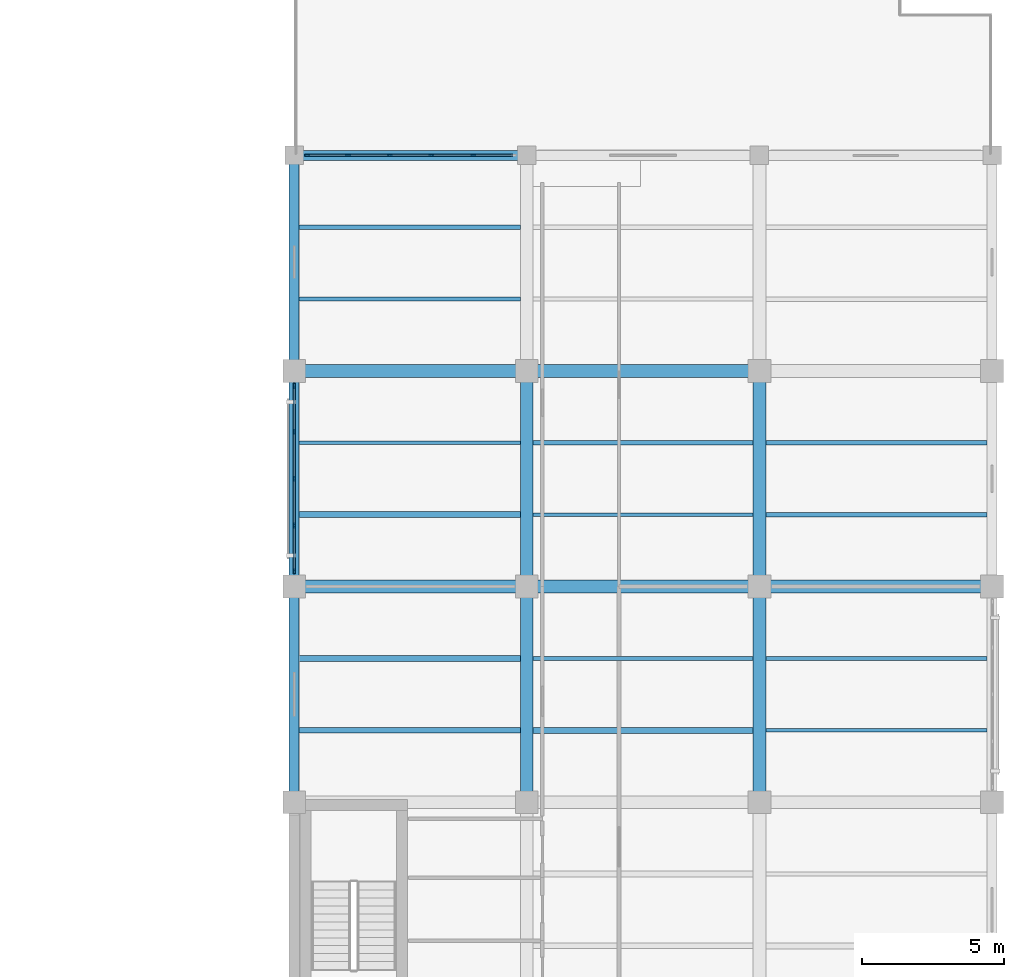
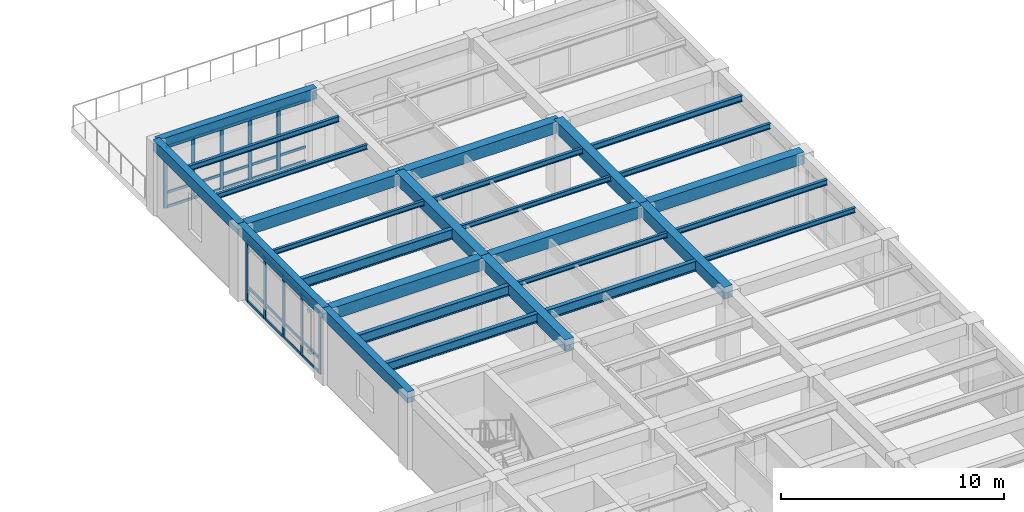
# One storey, part 4 of 14: 37 members, 27 beams, 2 elements without a shape of their own.
"""IFC4 building model written with IfcOpenShell, lengths in metres."""

from ifc_helpers import new_model, si_unit, direction, frame, origin, origin_2d, place, context, subcontext, project, spatial, rectangle, i_section, extrude, material, material_profile, profile_set, type_object, element, aggregate, save


model = new_model("IFC4")

# Units and contexts
model_context = context("Model", 3, precision=1e-05, world=origin(), true_north=direction((0.0, 1.0)))
body_context = subcontext(model_context, "Body", "Model", "MODEL_VIEW")
ifc_project = project(units=[si_unit("LENGTHUNIT", "METRE"), si_unit("AREAUNIT", "SQUARE_METRE"), si_unit("VOLUMEUNIT", "CUBIC_METRE"), si_unit("PLANEANGLEUNIT", "RADIAN"), si_unit("MASSUNIT", "GRAM", prefix="KILO")], contexts=[model_context])

# Site, building, storey
site_placement = place(None, origin())
site = spatial("IfcSite", under=ifc_project, at=site_placement, CompositionType="ELEMENT")
building_placement = place(site_placement, origin())
building = spatial("IfcBuilding", under=site, at=building_placement, Name="Qandaris Square Conservatory and Botanical Centre", CompositionType="ELEMENT")
storey_placement = place(building_placement, frame((0.0, 0.0, 36.60009765625)))
storey = spatial("IfcBuildingStorey", under=building, at=storey_placement, Name="L08", CompositionType="ELEMENT", Elevation=36.60009765625)

# Beams
ifc_material_1 = material(Name="Steel S355", Category="steel")
ifc_material_profile_1 = material_profile(ifc_material_1, i_section(OverallWidth=0.199951171875, OverallDepth=0.5, WebThickness=0.01025390625, FlangeThickness=0.01611328125, FilletRadius=0.02099609375, at=origin_2d()), Name="IPE 500")
ifc_profile_set_1 = profile_set([ifc_material_profile_1], Name="Steel S355")
beam_type_1 = type_object("IfcBeamType", Name="Composite Gallery Joist IPE 500", PredefinedType="JOIST", material=ifc_profile_set_1)
beam_1_placement = place(storey_placement, frame((139.375, 49.533203125, 3.68994140625), z_axis=(1.0, 0.0, 0.0), x_axis=(0.0, 1.0, 0.0)))
element("IfcBeam", 1, at=beam_1_placement, inside=storey, type_object=beam_type_1, Name="L08 Composite Joist 2290", PredefinedType="JOIST", context=body_context, shape_type="SweptSolid", body=[
    extrude(i_section(OverallWidth=0.199951171875, OverallDepth=0.5, WebThickness=0.01025390625, FlangeThickness=0.01611328125, FilletRadius=0.02099609375, at=origin_2d()), origin(), (0.0, 0.0, 1.0), 7.800048828125),
])
ifc_material_profile_2 = material_profile(ifc_material_1, i_section(OverallWidth=0.14990234375, OverallDepth=0.300048828125, WebThickness=0.007080078125, FlangeThickness=0.0107421875, FilletRadius=0.014892578125, at=origin_2d()), Name="IPE 300")
ifc_profile_set_2 = profile_set([ifc_material_profile_2], Name="Steel S355")
beam_type_2 = type_object("IfcBeamType", Name="Composite Lab Joist IPE 300", PredefinedType="JOIST", material=ifc_profile_set_2)
beam_2_placement = place(storey_placement, frame((139.375, 67.2666015625, 3.789794921875), z_axis=(1.0, 0.0, 0.0), x_axis=(0.0, 1.0, 0.0)))
element("IfcBeam", 2, at=beam_2_placement, inside=storey, type_object=beam_type_2, Name="L08 Composite Joist 2295", PredefinedType="JOIST", context=body_context, shape_type="SweptSolid", body=[
    extrude(i_section(OverallWidth=0.14990234375, OverallDepth=0.300048828125, WebThickness=0.007080078125, FlangeThickness=0.0107421875, FilletRadius=0.014892578125, at=origin_2d()), origin(), (0.0, 0.0, 1.0), 7.800048828125),
])
beam_3_placement = place(storey_placement, frame((147.625, 59.666748046875, 3.789794921875), z_axis=(1.0, 0.0, 0.0), x_axis=(0.0, 1.0, 0.0)))
element("IfcBeam", 3, at=beam_3_placement, inside=storey, type_object=beam_type_2, Name="L08 Composite Joist 2304", PredefinedType="JOIST", context=body_context, shape_type="SweptSolid", body=[
    extrude(i_section(OverallWidth=0.14990234375, OverallDepth=0.300048828125, WebThickness=0.007080078125, FlangeThickness=0.0107421875, FilletRadius=0.014892578125, at=origin_2d()), origin(), (0.0, 0.0, 1.0), 7.75),
])
for number, where, z_axis, x_axis, name in (
    (4, (155.824951171875, 52.066650390625, 3.789794921875), (1.0, 0.0, 0.0), (0.0, 1.0, 0.0), "L08 Composite Joist 2316"),
    (5, (155.824951171875, 57.13330078125, 3.789794921875), (1.0, 0.0, 0.0), (0.0, 1.0, 0.0), "L08 Composite Joist 2317"),
):
    element("IfcBeam", number, at=place(storey_placement, frame(where, z_axis=z_axis, x_axis=x_axis)), inside=storey, type_object=beam_type_2, Name=name, PredefinedType="JOIST", context=body_context, shape_type="SweptSolid", body=[
        extrude(i_section(OverallWidth=0.14990234375, OverallDepth=0.300048828125, WebThickness=0.007080078125, FlangeThickness=0.0107421875, FilletRadius=0.014892578125, at=origin_2d()), origin(), (0.0, 0.0, 1.0), 7.800048828125),
    ])
ifc_material_profile_3 = material_profile(ifc_material_1, i_section(OverallWidth=0.159912109375, OverallDepth=0.330078125, WebThickness=0.007568359375, FlangeThickness=0.011474609375, FilletRadius=0.01806640625, at=origin_2d()), Name="IPE 330")
ifc_profile_set_3 = profile_set([ifc_material_profile_3], Name="Steel S355")
beam_type_3 = type_object("IfcBeamType", Name="Composite Lab Joist IPE 330", PredefinedType="JOIST", material=ifc_profile_set_3)
beam_4_placement = place(storey_placement, frame((155.824951171875, 59.666748046875, 3.77490234375), z_axis=(1.0, 0.0, 0.0), x_axis=(0.0, 1.0, 0.0)))
element("IfcBeam", 6, at=beam_4_placement, inside=storey, type_object=beam_type_3, Name="L08 Composite Joist 2318", PredefinedType="JOIST", context=body_context, shape_type="SweptSolid", body=[
    extrude(i_section(OverallWidth=0.159912109375, OverallDepth=0.330078125, WebThickness=0.007568359375, FlangeThickness=0.011474609375, FilletRadius=0.01806640625, at=origin_2d()), origin(), (0.0, 0.0, 1.0), 7.800048828125),
])

# Curtain wall, members
ifc_material_2 = material(Name="Anodised Aluminium", Category="aluminium")
curtain_wall_type_1 = type_object("IfcCurtainWallType", Name="Unitised Curtain Wall CW-3-735x335", PredefinedType="USERDEFINED", material=ifc_material_2)
curtain_wall_1_placement = place(storey_placement, origin())
curtain_wall_1 = element("IfcCurtainWall", 7, at=curtain_wall_1_placement, inside=storey, type_object=curtain_wall_type_1, Name="Curtain Wall CW-TWR-L08-3-3", ObjectType="GLAZED CURTAIN WALL", PredefinedType="USERDEFINED")
ifc_material_profile_4 = material_profile(ifc_material_2, rectangle(XDim=0.06494140625, YDim=0.179931640625, at=origin_2d()), Name="ALU-MUL 65x180")
ifc_profile_set_4 = profile_set([ifc_material_profile_4], Name="Anodised Aluminium")
member_type_1 = type_object("IfcMemberType", Name="Curtain Wall Mullion 65x180", PredefinedType="MULLION", material=ifc_profile_set_4)
member_1_placement = place(storey_placement, frame((145.5048828125, 69.800048828125, 0.0), z_axis=(0.0, 0.0, 1.0), x_axis=(0.0, -1.0, 0.0)))
member_1 = element("IfcMember", 8, at=member_1_placement, type_object=member_type_1, Name="CW-3-735x335 mullion 2", PredefinedType="MULLION", context=body_context, shape_type="SweptSolid", body=[
    extrude(rectangle(XDim=0.06494140625, YDim=0.179931640625, at=origin_2d()), origin(), (0.0, 0.0, 1.0), 3.349853515625),
])
member_2_placement = place(storey_placement, frame((144.034912109375, 69.800048828125, 0.0), z_axis=(0.0, 0.0, 1.0), x_axis=(0.0, -1.0, 0.0)))
member_2 = element("IfcMember", 9, at=member_2_placement, type_object=member_type_1, Name="CW-3-735x335 mullion 3", PredefinedType="MULLION", context=body_context, shape_type="SweptSolid", body=[
    extrude(rectangle(XDim=0.06494140625, YDim=0.179931640625, at=origin_2d()), origin(), (0.0, 0.0, 1.0), 3.349853515625),
])
member_3_placement = place(storey_placement, frame((142.56494140625, 69.800048828125, 0.0), z_axis=(0.0, 0.0, 1.0), x_axis=(0.0, -1.0, 0.0)))
member_3 = element("IfcMember", 10, at=member_3_placement, type_object=member_type_1, Name="CW-3-735x335 mullion 4", PredefinedType="MULLION", context=body_context, shape_type="SweptSolid", body=[
    extrude(rectangle(XDim=0.06494140625, YDim=0.179931640625, at=origin_2d()), origin(), (0.0, 0.0, 1.0), 3.349853515625),
])
member_4_placement = place(storey_placement, frame((141.094970703125, 69.800048828125, 0.0), z_axis=(0.0, 0.0, 1.0), x_axis=(0.0, -1.0, 0.0)))
member_4 = element("IfcMember", 11, at=member_4_placement, type_object=member_type_1, Name="CW-3-735x335 mullion 5", PredefinedType="MULLION", context=body_context, shape_type="SweptSolid", body=[
    extrude(rectangle(XDim=0.06494140625, YDim=0.179931640625, at=origin_2d()), origin(), (0.0, 0.0, 1.0), 3.349853515625),
])
member_5_placement = place(storey_placement, frame((139.657470703125, 69.800048828125, 0.0), z_axis=(0.0, 0.0, 1.0), x_axis=(0.0, -1.0, 0.0)))
member_5 = element("IfcMember", 12, at=member_5_placement, type_object=member_type_1, Name="CW-3-735x335 mullion 6", PredefinedType="MULLION", context=body_context, shape_type="SweptSolid", body=[
    extrude(rectangle(XDim=0.06494140625, YDim=0.179931640625, at=origin_2d()), origin(), (0.0, 0.0, 1.0), 3.349853515625),
])

curtain_wall_type_2 = type_object("IfcCurtainWallType", Name="Unitised Curtain Wall CW-4-660x335", PredefinedType="USERDEFINED", material=ifc_material_2)
curtain_wall_2_placement = place(storey_placement, origin())
curtain_wall_2 = element("IfcCurtainWall", 13, at=curtain_wall_2_placement, inside=storey, type_object=curtain_wall_type_2, Name="Curtain Wall CW-TWR-L08-4-2", ObjectType="GLAZED CURTAIN WALL", PredefinedType="USERDEFINED")
member_6_placement = place(storey_placement, frame((139.199951171875, 61.66748046875, 0.0), z_axis=(0.0, 0.0, 1.0), x_axis=(1.0, 0.0, 0.0)))
member_6 = element("IfcMember", 14, at=member_6_placement, type_object=member_type_1, Name="CW-4-660x335 mullion 1", PredefinedType="MULLION", context=body_context, shape_type="SweptSolid", body=[
    extrude(rectangle(XDim=0.06494140625, YDim=0.179931640625, at=origin_2d()), origin(), (0.0, 0.0, 1.0), 3.349853515625),
])
member_7_placement = place(storey_placement, frame((139.199951171875, 60.050048828125, 0.0), z_axis=(0.0, 0.0, 1.0), x_axis=(1.0, 0.0, 0.0)))
member_7 = element("IfcMember", 15, at=member_7_placement, type_object=member_type_1, Name="CW-4-660x335 mullion 2", PredefinedType="MULLION", context=body_context, shape_type="SweptSolid", body=[
    extrude(rectangle(XDim=0.06494140625, YDim=0.179931640625, at=origin_2d()), origin(), (0.0, 0.0, 1.0), 3.349853515625),
])
member_8_placement = place(storey_placement, frame((139.199951171875, 58.39990234375, 0.0), z_axis=(0.0, 0.0, 1.0), x_axis=(1.0, 0.0, 0.0)))
member_8 = element("IfcMember", 16, at=member_8_placement, type_object=member_type_1, Name="CW-4-660x335 mullion 3", PredefinedType="MULLION", context=body_context, shape_type="SweptSolid", body=[
    extrude(rectangle(XDim=0.06494140625, YDim=0.179931640625, at=origin_2d()), origin(), (0.0, 0.0, 1.0), 3.349853515625),
])
member_9_placement = place(storey_placement, frame((139.199951171875, 56.75, 0.0), z_axis=(0.0, 0.0, 1.0), x_axis=(1.0, 0.0, 0.0)))
member_9 = element("IfcMember", 17, at=member_9_placement, type_object=member_type_1, Name="CW-4-660x335 mullion 4", PredefinedType="MULLION", context=body_context, shape_type="SweptSolid", body=[
    extrude(rectangle(XDim=0.06494140625, YDim=0.179931640625, at=origin_2d()), origin(), (0.0, 0.0, 1.0), 3.349853515625),
])
member_10_placement = place(storey_placement, frame((139.199951171875, 55.132568359375, 0.0), z_axis=(0.0, 0.0, 1.0), x_axis=(1.0, 0.0, 0.0)))
member_10 = element("IfcMember", 18, at=member_10_placement, type_object=member_type_1, Name="CW-4-660x335 mullion 5", PredefinedType="MULLION", context=body_context, shape_type="SweptSolid", body=[
    extrude(rectangle(XDim=0.06494140625, YDim=0.179931640625, at=origin_2d()), origin(), (0.0, 0.0, 1.0), 3.349853515625),
])

# Member
ifc_material_profile_5 = material_profile(ifc_material_2, rectangle(XDim=0.06494140625, YDim=0.139892578125, at=origin_2d()), Name="ALU-TRN 65x140")
ifc_profile_set_5 = profile_set([ifc_material_profile_5], Name="Anodised Aluminium")
member_type_2 = type_object("IfcMemberType", Name="Curtain Wall Transom 65x140", PredefinedType="USERDEFINED", material=ifc_profile_set_5)
member_11_placement = place(storey_placement, frame((146.909912109375, 69.800048828125, 0.032470703125), z_axis=(-1.0, 0.0, 0.0), x_axis=(0.0, -1.0, 0.0)))
member_11 = element("IfcMember", 19, at=member_11_placement, type_object=member_type_2, Name="CW-3-735x335 transom 1.1", ObjectType="TRANSOM", PredefinedType="USERDEFINED", context=body_context, shape_type="SweptSolid", body=[
    extrude(rectangle(XDim=0.06494140625, YDim=0.139892578125, at=origin_2d()), origin(), (0.0, 0.0, 1.0), 1.372314453125),
])

member_12_placement = place(storey_placement, frame((146.909912109375, 69.800048828125, 0.803955078125), z_axis=(-1.0, 0.0, 0.0), x_axis=(0.0, -1.0, 0.0)))
member_12 = element("IfcMember", 20, at=member_12_placement, type_object=member_type_2, Name="CW-3-735x335 transom 1.2", ObjectType="TRANSOM", PredefinedType="USERDEFINED", context=body_context, shape_type="SweptSolid", body=[
    extrude(rectangle(XDim=0.06494140625, YDim=0.139892578125, at=origin_2d()), origin(), (0.0, 0.0, 1.0), 1.372314453125),
])

member_13_placement = place(storey_placement, frame((146.909912109375, 69.800048828125, 3.3173828125), z_axis=(-1.0, 0.0, 0.0), x_axis=(0.0, -1.0, 0.0)))
member_13 = element("IfcMember", 21, at=member_13_placement, type_object=member_type_2, Name="CW-3-735x335 transom 1.3", ObjectType="TRANSOM", PredefinedType="USERDEFINED", context=body_context, shape_type="SweptSolid", body=[
    extrude(rectangle(XDim=0.06494140625, YDim=0.139892578125, at=origin_2d()), origin(), (0.0, 0.0, 1.0), 1.372314453125),
])

member_14_placement = place(storey_placement, frame((145.472412109375, 69.800048828125, 0.032470703125), z_axis=(-1.0, 0.0, 0.0), x_axis=(0.0, -1.0, 0.0)))
member_14 = element("IfcMember", 22, at=member_14_placement, type_object=member_type_2, Name="CW-3-735x335 transom 2.1", ObjectType="TRANSOM", PredefinedType="USERDEFINED", context=body_context, shape_type="SweptSolid", body=[
    extrude(rectangle(XDim=0.06494140625, YDim=0.139892578125, at=origin_2d()), origin(), (0.0, 0.0, 1.0), 1.405029296875),
])

member_15_placement = place(storey_placement, frame((145.472412109375, 69.800048828125, 0.803955078125), z_axis=(-1.0, 0.0, 0.0), x_axis=(0.0, -1.0, 0.0)))
member_15 = element("IfcMember", 23, at=member_15_placement, type_object=member_type_2, Name="CW-3-735x335 transom 2.2", ObjectType="TRANSOM", PredefinedType="USERDEFINED", context=body_context, shape_type="SweptSolid", body=[
    extrude(rectangle(XDim=0.06494140625, YDim=0.139892578125, at=origin_2d()), origin(), (0.0, 0.0, 1.0), 1.405029296875),
])

member_16_placement = place(storey_placement, frame((145.472412109375, 69.800048828125, 3.3173828125), z_axis=(-1.0, 0.0, 0.0), x_axis=(0.0, -1.0, 0.0)))
member_16 = element("IfcMember", 24, at=member_16_placement, type_object=member_type_2, Name="CW-3-735x335 transom 2.3", ObjectType="TRANSOM", PredefinedType="USERDEFINED", context=body_context, shape_type="SweptSolid", body=[
    extrude(rectangle(XDim=0.06494140625, YDim=0.139892578125, at=origin_2d()), origin(), (0.0, 0.0, 1.0), 1.405029296875),
])

member_17_placement = place(storey_placement, frame((144.00244140625, 69.800048828125, 0.032470703125), z_axis=(-1.0, 0.0, 0.0), x_axis=(0.0, -1.0, 0.0)))
member_17 = element("IfcMember", 25, at=member_17_placement, type_object=member_type_2, Name="CW-3-735x335 transom 3.1", ObjectType="TRANSOM", PredefinedType="USERDEFINED", context=body_context, shape_type="SweptSolid", body=[
    extrude(rectangle(XDim=0.06494140625, YDim=0.139892578125, at=origin_2d()), origin(), (0.0, 0.0, 1.0), 1.405029296875),
])

member_18_placement = place(storey_placement, frame((144.00244140625, 69.800048828125, 0.803955078125), z_axis=(-1.0, 0.0, 0.0), x_axis=(0.0, -1.0, 0.0)))
member_18 = element("IfcMember", 26, at=member_18_placement, type_object=member_type_2, Name="CW-3-735x335 transom 3.2", ObjectType="TRANSOM", PredefinedType="USERDEFINED", context=body_context, shape_type="SweptSolid", body=[
    extrude(rectangle(XDim=0.06494140625, YDim=0.139892578125, at=origin_2d()), origin(), (0.0, 0.0, 1.0), 1.405029296875),
])

member_19_placement = place(storey_placement, frame((144.00244140625, 69.800048828125, 3.3173828125), z_axis=(-1.0, 0.0, 0.0), x_axis=(0.0, -1.0, 0.0)))
member_19 = element("IfcMember", 27, at=member_19_placement, type_object=member_type_2, Name="CW-3-735x335 transom 3.3", ObjectType="TRANSOM", PredefinedType="USERDEFINED", context=body_context, shape_type="SweptSolid", body=[
    extrude(rectangle(XDim=0.06494140625, YDim=0.139892578125, at=origin_2d()), origin(), (0.0, 0.0, 1.0), 1.405029296875),
])

member_20_placement = place(storey_placement, frame((142.532470703125, 69.800048828125, 0.032470703125), z_axis=(-1.0, 0.0, 0.0), x_axis=(0.0, -1.0, 0.0)))
member_20 = element("IfcMember", 28, at=member_20_placement, type_object=member_type_2, Name="CW-3-735x335 transom 4.1", ObjectType="TRANSOM", PredefinedType="USERDEFINED", context=body_context, shape_type="SweptSolid", body=[
    extrude(rectangle(XDim=0.06494140625, YDim=0.139892578125, at=origin_2d()), origin(), (0.0, 0.0, 1.0), 1.405029296875),
])

member_21_placement = place(storey_placement, frame((142.532470703125, 69.800048828125, 0.803955078125), z_axis=(-1.0, 0.0, 0.0), x_axis=(0.0, -1.0, 0.0)))
member_21 = element("IfcMember", 29, at=member_21_placement, type_object=member_type_2, Name="CW-3-735x335 transom 4.2", ObjectType="TRANSOM", PredefinedType="USERDEFINED", context=body_context, shape_type="SweptSolid", body=[
    extrude(rectangle(XDim=0.06494140625, YDim=0.139892578125, at=origin_2d()), origin(), (0.0, 0.0, 1.0), 1.405029296875),
])

member_22_placement = place(storey_placement, frame((142.532470703125, 69.800048828125, 3.3173828125), z_axis=(-1.0, 0.0, 0.0), x_axis=(0.0, -1.0, 0.0)))
member_22 = element("IfcMember", 30, at=member_22_placement, type_object=member_type_2, Name="CW-3-735x335 transom 4.3", ObjectType="TRANSOM", PredefinedType="USERDEFINED", context=body_context, shape_type="SweptSolid", body=[
    extrude(rectangle(XDim=0.06494140625, YDim=0.139892578125, at=origin_2d()), origin(), (0.0, 0.0, 1.0), 1.405029296875),
])

member_23_placement = place(storey_placement, frame((141.0625, 69.800048828125, 0.032470703125), z_axis=(-1.0, 0.0, 0.0), x_axis=(0.0, -1.0, 0.0)))
member_23 = element("IfcMember", 31, at=member_23_placement, type_object=member_type_2, Name="CW-3-735x335 transom 5.1", ObjectType="TRANSOM", PredefinedType="USERDEFINED", context=body_context, shape_type="SweptSolid", body=[
    extrude(rectangle(XDim=0.06494140625, YDim=0.139892578125, at=origin_2d()), origin(), (0.0, 0.0, 1.0), 1.37255859375),
])

member_24_placement = place(storey_placement, frame((141.0625, 69.800048828125, 0.803955078125), z_axis=(-1.0, 0.0, 0.0), x_axis=(0.0, -1.0, 0.0)))
member_24 = element("IfcMember", 32, at=member_24_placement, type_object=member_type_2, Name="CW-3-735x335 transom 5.2", ObjectType="TRANSOM", PredefinedType="USERDEFINED", context=body_context, shape_type="SweptSolid", body=[
    extrude(rectangle(XDim=0.06494140625, YDim=0.139892578125, at=origin_2d()), origin(), (0.0, 0.0, 1.0), 1.37255859375),
])

member_25_placement = place(storey_placement, frame((141.0625, 69.800048828125, 3.3173828125), z_axis=(-1.0, 0.0, 0.0), x_axis=(0.0, -1.0, 0.0)))
member_25 = element("IfcMember", 33, at=member_25_placement, type_object=member_type_2, Name="CW-3-735x335 transom 5.3", ObjectType="TRANSOM", PredefinedType="USERDEFINED", context=body_context, shape_type="SweptSolid", body=[
    extrude(rectangle(XDim=0.06494140625, YDim=0.139892578125, at=origin_2d()), origin(), (0.0, 0.0, 1.0), 1.37255859375),
])

aggregate(curtain_wall_1, [member_1, member_2, member_3, member_4, member_5, member_11, member_12, member_13, member_14, member_15, member_16, member_17, member_18, member_19, member_20, member_21, member_22, member_23, member_24, member_25])

member_26_placement = place(storey_placement, frame((139.199951171875, 61.635009765625, 0.032470703125), z_axis=(0.0, -1.0, 0.0), x_axis=(1.0, 0.0, 0.0)))
member_26 = element("IfcMember", 34, at=member_26_placement, type_object=member_type_2, Name="CW-4-660x335 transom 1.1", ObjectType="TRANSOM", PredefinedType="USERDEFINED", context=body_context, shape_type="SweptSolid", body=[
    extrude(rectangle(XDim=0.06494140625, YDim=0.139892578125, at=origin_2d()), origin(), (0.0, 0.0, 1.0), 1.552490234375),
])

member_27_placement = place(storey_placement, frame((139.199951171875, 61.635009765625, 0.803955078125), z_axis=(0.0, -1.0, 0.0), x_axis=(1.0, 0.0, 0.0)))
member_27 = element("IfcMember", 35, at=member_27_placement, type_object=member_type_2, Name="CW-4-660x335 transom 1.2", ObjectType="TRANSOM", PredefinedType="USERDEFINED", context=body_context, shape_type="SweptSolid", body=[
    extrude(rectangle(XDim=0.06494140625, YDim=0.139892578125, at=origin_2d()), origin(), (0.0, 0.0, 1.0), 1.552490234375),
])

member_28_placement = place(storey_placement, frame((139.199951171875, 61.635009765625, 3.3173828125), z_axis=(0.0, -1.0, 0.0), x_axis=(1.0, 0.0, 0.0)))
member_28 = element("IfcMember", 36, at=member_28_placement, type_object=member_type_2, Name="CW-4-660x335 transom 1.3", ObjectType="TRANSOM", PredefinedType="USERDEFINED", context=body_context, shape_type="SweptSolid", body=[
    extrude(rectangle(XDim=0.06494140625, YDim=0.139892578125, at=origin_2d()), origin(), (0.0, 0.0, 1.0), 1.552490234375),
])

member_29_placement = place(storey_placement, frame((139.199951171875, 60.017578125, 0.032470703125), z_axis=(0.0, -1.0, 0.0), x_axis=(1.0, 0.0, 0.0)))
member_29 = element("IfcMember", 37, at=member_29_placement, type_object=member_type_2, Name="CW-4-660x335 transom 2.1", ObjectType="TRANSOM", PredefinedType="USERDEFINED", context=body_context, shape_type="SweptSolid", body=[
    extrude(rectangle(XDim=0.06494140625, YDim=0.139892578125, at=origin_2d()), origin(), (0.0, 0.0, 1.0), 1.5849609375),
])

member_30_placement = place(storey_placement, frame((139.199951171875, 60.017578125, 0.803955078125), z_axis=(0.0, -1.0, 0.0), x_axis=(1.0, 0.0, 0.0)))
member_30 = element("IfcMember", 38, at=member_30_placement, type_object=member_type_2, Name="CW-4-660x335 transom 2.2", ObjectType="TRANSOM", PredefinedType="USERDEFINED", context=body_context, shape_type="SweptSolid", body=[
    extrude(rectangle(XDim=0.06494140625, YDim=0.139892578125, at=origin_2d()), origin(), (0.0, 0.0, 1.0), 1.5849609375),
])

member_31_placement = place(storey_placement, frame((139.199951171875, 60.017578125, 3.3173828125), z_axis=(0.0, -1.0, 0.0), x_axis=(1.0, 0.0, 0.0)))
member_31 = element("IfcMember", 39, at=member_31_placement, type_object=member_type_2, Name="CW-4-660x335 transom 2.3", ObjectType="TRANSOM", PredefinedType="USERDEFINED", context=body_context, shape_type="SweptSolid", body=[
    extrude(rectangle(XDim=0.06494140625, YDim=0.139892578125, at=origin_2d()), origin(), (0.0, 0.0, 1.0), 1.5849609375),
])

member_32_placement = place(storey_placement, frame((139.199951171875, 58.367431640625, 0.032470703125), z_axis=(0.0, -1.0, 0.0), x_axis=(1.0, 0.0, 0.0)))
member_32 = element("IfcMember", 40, at=member_32_placement, type_object=member_type_2, Name="CW-4-660x335 transom 3.1", ObjectType="TRANSOM", PredefinedType="USERDEFINED", context=body_context, shape_type="SweptSolid", body=[
    extrude(rectangle(XDim=0.06494140625, YDim=0.139892578125, at=origin_2d()), origin(), (0.0, 0.0, 1.0), 1.5849609375),
])

member_33_placement = place(storey_placement, frame((139.199951171875, 58.367431640625, 0.803955078125), z_axis=(0.0, -1.0, 0.0), x_axis=(1.0, 0.0, 0.0)))
member_33 = element("IfcMember", 41, at=member_33_placement, type_object=member_type_2, Name="CW-4-660x335 transom 3.2", ObjectType="TRANSOM", PredefinedType="USERDEFINED", context=body_context, shape_type="SweptSolid", body=[
    extrude(rectangle(XDim=0.06494140625, YDim=0.139892578125, at=origin_2d()), origin(), (0.0, 0.0, 1.0), 1.5849609375),
])

member_34_placement = place(storey_placement, frame((139.199951171875, 58.367431640625, 3.3173828125), z_axis=(0.0, -1.0, 0.0), x_axis=(1.0, 0.0, 0.0)))
member_34 = element("IfcMember", 42, at=member_34_placement, type_object=member_type_2, Name="CW-4-660x335 transom 3.3", ObjectType="TRANSOM", PredefinedType="USERDEFINED", context=body_context, shape_type="SweptSolid", body=[
    extrude(rectangle(XDim=0.06494140625, YDim=0.139892578125, at=origin_2d()), origin(), (0.0, 0.0, 1.0), 1.5849609375),
])

member_35_placement = place(storey_placement, frame((139.199951171875, 56.717529296875, 0.032470703125), z_axis=(0.0, -1.0, 0.0), x_axis=(1.0, 0.0, 0.0)))
member_35 = element("IfcMember", 43, at=member_35_placement, type_object=member_type_2, Name="CW-4-660x335 transom 4.1", ObjectType="TRANSOM", PredefinedType="USERDEFINED", context=body_context, shape_type="SweptSolid", body=[
    extrude(rectangle(XDim=0.06494140625, YDim=0.139892578125, at=origin_2d()), origin(), (0.0, 0.0, 1.0), 1.552490234375),
])

member_36_placement = place(storey_placement, frame((139.199951171875, 56.717529296875, 0.803955078125), z_axis=(0.0, -1.0, 0.0), x_axis=(1.0, 0.0, 0.0)))
member_36 = element("IfcMember", 44, at=member_36_placement, type_object=member_type_2, Name="CW-4-660x335 transom 4.2", ObjectType="TRANSOM", PredefinedType="USERDEFINED", context=body_context, shape_type="SweptSolid", body=[
    extrude(rectangle(XDim=0.06494140625, YDim=0.139892578125, at=origin_2d()), origin(), (0.0, 0.0, 1.0), 1.552490234375),
])

member_37_placement = place(storey_placement, frame((139.199951171875, 56.717529296875, 3.3173828125), z_axis=(0.0, -1.0, 0.0), x_axis=(1.0, 0.0, 0.0)))
member_37 = element("IfcMember", 45, at=member_37_placement, type_object=member_type_2, Name="CW-4-660x335 transom 4.3", ObjectType="TRANSOM", PredefinedType="USERDEFINED", context=body_context, shape_type="SweptSolid", body=[
    extrude(rectangle(XDim=0.06494140625, YDim=0.139892578125, at=origin_2d()), origin(), (0.0, 0.0, 1.0), 1.552490234375),
])

aggregate(curtain_wall_2, [member_6, member_7, member_8, member_9, member_10, member_26, member_27, member_28, member_29, member_30, member_31, member_32, member_33, member_34, member_35, member_36, member_37])

# Beams
ifc_material_profile_6 = material_profile(ifc_material_1, i_section(OverallWidth=0.2099609375, OverallDepth=0.550048828125, WebThickness=0.010986328125, FlangeThickness=0.01708984375, FilletRadius=0.02392578125, at=origin_2d()), Name="IPE 550")
ifc_profile_set_6 = profile_set([ifc_material_profile_6], Name="Steel S355")
beam_type_4 = type_object("IfcBeamType", Name="Long-Span Foyer Joist IPE 550", PredefinedType="JOIST", material=ifc_profile_set_6)
for number, where, z_axis, x_axis, name in (
    (46, (139.375, 52.066650390625, 3.664794921875), (1.0, 0.0, 0.0), (0.0, 1.0, 0.0), "L08 Composite Joist 2291"),
    (47, (139.375, 57.13330078125, 3.664794921875), (1.0, 0.0, 0.0), (0.0, 1.0, 0.0), "L08 Composite Joist 2292"),
):
    element("IfcBeam", number, at=place(storey_placement, frame(where, z_axis=z_axis, x_axis=x_axis)), inside=storey, type_object=beam_type_4, Name=name, PredefinedType="JOIST", context=body_context, shape_type="SweptSolid", body=[
        extrude(i_section(OverallWidth=0.2099609375, OverallDepth=0.550048828125, WebThickness=0.010986328125, FlangeThickness=0.01708984375, FilletRadius=0.02392578125, at=origin_2d()), origin(), (0.0, 0.0, 1.0), 7.800048828125),
    ])
beam_5_placement = place(storey_placement, frame((147.625, 49.533203125, 3.664794921875), z_axis=(1.0, 0.0, 0.0), x_axis=(0.0, 1.0, 0.0)))
element("IfcBeam", 48, at=beam_5_placement, inside=storey, type_object=beam_type_4, Name="L08 Composite Joist 2301", PredefinedType="JOIST", context=body_context, shape_type="SweptSolid", body=[
    extrude(i_section(OverallWidth=0.2099609375, OverallDepth=0.550048828125, WebThickness=0.010986328125, FlangeThickness=0.01708984375, FilletRadius=0.02392578125, at=origin_2d()), origin(), (0.0, 0.0, 1.0), 7.75),
])
ifc_material_3 = material(Name="Concrete C50/60", Category="concrete")
ifc_material_profile_7 = material_profile(ifc_material_3, rectangle(XDim=0.35009765625, YDim=0.60009765625, at=origin_2d()), Name="RC-SP 350x600")
ifc_profile_set_7 = profile_set([ifc_material_profile_7], Name="Concrete C50/60")
beam_type_5 = type_object("IfcBeamType", Name="RC Edge Spandrel Beam 350x600", PredefinedType="SPANDREL", material=ifc_profile_set_7)
beam_6_placement = place(storey_placement, frame((139.199951171875, 69.800048828125, 3.64990234375), z_axis=(1.0, 0.0, 0.0), x_axis=(0.0, 1.0, 0.0)))
element("IfcBeam", 49, at=beam_6_placement, inside=storey, type_object=beam_type_5, Name="L08 Frame Beam 2238", PredefinedType="SPANDREL", context=body_context, shape_type="SweptSolid", body=[
    extrude(rectangle(XDim=0.35009765625, YDim=0.60009765625, at=origin_2d()), origin(), (0.0, 0.0, 1.0), 8.199951171875),
])
beam_7_placement = place(storey_placement, frame((139.199951171875, 47.0, 3.64990234375), z_axis=(0.0, 1.0, 0.0), x_axis=(-1.0, 0.0, 0.0)))
element("IfcBeam", 50, at=beam_7_placement, inside=storey, type_object=beam_type_5, Name="L08 Frame Beam 2251", PredefinedType="SPANDREL", context=body_context, shape_type="SweptSolid", body=[
    extrude(rectangle(XDim=0.35009765625, YDim=0.60009765625, at=origin_2d()), origin(), (0.0, 0.0, 1.0), 7.60009765625),
])
beam_8_placement = place(storey_placement, frame((139.199951171875, 54.60009765625, 3.64990234375), z_axis=(0.0, 1.0, 0.0), x_axis=(-1.0, 0.0, 0.0)))
element("IfcBeam", 51, at=beam_8_placement, inside=storey, type_object=beam_type_5, Name="L08 Frame Beam 2252", PredefinedType="SPANDREL", context=body_context, shape_type="SweptSolid", body=[
    extrude(rectangle(XDim=0.35009765625, YDim=0.60009765625, at=origin_2d()), origin(), (0.0, 0.0, 1.0), 7.599853515625),
])
beam_9_placement = place(storey_placement, frame((139.199951171875, 62.199951171875, 3.64990234375), z_axis=(0.0, 1.0, 0.0), x_axis=(-1.0, 0.0, 0.0)))
element("IfcBeam", 52, at=beam_9_placement, inside=storey, type_object=beam_type_5, Name="L08 Frame Beam 2253", PredefinedType="SPANDREL", context=body_context, shape_type="SweptSolid", body=[
    extrude(rectangle(XDim=0.35009765625, YDim=0.60009765625, at=origin_2d()), origin(), (0.0, 0.0, 1.0), 7.60009765625),
])
ifc_material_profile_8 = material_profile(ifc_material_3, rectangle(XDim=0.449951171875, YDim=0.64990234375, at=origin_2d()), Name="RC-BM 450x650")
ifc_profile_set_8 = profile_set([ifc_material_profile_8], Name="Concrete C50/60")
beam_type_6 = type_object("IfcBeamType", Name="RC Floor Girder 450x650", PredefinedType="BEAM", material=ifc_profile_set_8)
beam_10_placement = place(storey_placement, frame((139.199951171875, 54.60009765625, 3.625), z_axis=(1.0, 0.0, 0.0), x_axis=(0.0, 1.0, 0.0)))
element("IfcBeam", 53, at=beam_10_placement, inside=storey, type_object=beam_type_6, Name="L08 Frame Beam 2232", PredefinedType="BEAM", context=body_context, shape_type="SweptSolid", body=[
    extrude(rectangle(XDim=0.449951171875, YDim=0.64990234375, at=origin_2d()), origin(), (0.0, 0.0, 1.0), 8.199951171875),
])
beam_11_placement = place(storey_placement, frame((147.39990234375, 54.60009765625, 3.625), z_axis=(1.0, 0.0, 0.0), x_axis=(0.0, 1.0, 0.0)))
element("IfcBeam", 54, at=beam_11_placement, inside=storey, type_object=beam_type_6, Name="L08 Frame Beam 2233", PredefinedType="BEAM", context=body_context, shape_type="SweptSolid", body=[
    extrude(rectangle(XDim=0.449951171875, YDim=0.64990234375, at=origin_2d()), origin(), (0.0, 0.0, 1.0), 8.2001953125),
])
for number, where, z_axis, x_axis, name in (
    (55, (155.60009765625, 54.60009765625, 3.625), (1.0, 0.0, 0.0), (0.0, 1.0, 0.0), "L08 Frame Beam 2234"),
    (56, (139.199951171875, 62.199951171875, 3.625), (1.0, 0.0, 0.0), (0.0, 1.0, 0.0), "L08 Frame Beam 2235"),
):
    element("IfcBeam", number, at=place(storey_placement, frame(where, z_axis=z_axis, x_axis=x_axis)), inside=storey, type_object=beam_type_6, Name=name, PredefinedType="BEAM", context=body_context, shape_type="SweptSolid", body=[
        extrude(rectangle(XDim=0.449951171875, YDim=0.64990234375, at=origin_2d()), origin(), (0.0, 0.0, 1.0), 8.199951171875),
    ])
beam_12_placement = place(storey_placement, frame((147.39990234375, 62.199951171875, 3.625), z_axis=(1.0, 0.0, 0.0), x_axis=(0.0, 1.0, 0.0)))
element("IfcBeam", 57, at=beam_12_placement, inside=storey, type_object=beam_type_6, Name="L08 Frame Beam 2236", PredefinedType="BEAM", context=body_context, shape_type="SweptSolid", body=[
    extrude(rectangle(XDim=0.449951171875, YDim=0.64990234375, at=origin_2d()), origin(), (0.0, 0.0, 1.0), 8.2001953125),
])
beam_13_placement = place(storey_placement, frame((147.39990234375, 47.0, 3.625), z_axis=(0.0, 1.0, 0.0), x_axis=(-1.0, 0.0, 0.0)))
element("IfcBeam", 58, at=beam_13_placement, inside=storey, type_object=beam_type_6, Name="L08 Frame Beam 2258", PredefinedType="BEAM", context=body_context, shape_type="SweptSolid", body=[
    extrude(rectangle(XDim=0.449951171875, YDim=0.64990234375, at=origin_2d()), origin(), (0.0, 0.0, 1.0), 7.60009765625),
])
beam_14_placement = place(storey_placement, frame((147.39990234375, 54.60009765625, 3.625), z_axis=(0.0, 1.0, 0.0), x_axis=(-1.0, 0.0, 0.0)))
element("IfcBeam", 59, at=beam_14_placement, inside=storey, type_object=beam_type_6, Name="L08 Frame Beam 2259", PredefinedType="BEAM", context=body_context, shape_type="SweptSolid", body=[
    extrude(rectangle(XDim=0.449951171875, YDim=0.64990234375, at=origin_2d()), origin(), (0.0, 0.0, 1.0), 7.599853515625),
])
beam_15_placement = place(storey_placement, frame((155.60009765625, 47.0, 3.625), z_axis=(0.0, 1.0, 0.0), x_axis=(-1.0, 0.0, 0.0)))
element("IfcBeam", 60, at=beam_15_placement, inside=storey, type_object=beam_type_6, Name="L08 Frame Beam 2265", PredefinedType="BEAM", context=body_context, shape_type="SweptSolid", body=[
    extrude(rectangle(XDim=0.449951171875, YDim=0.64990234375, at=origin_2d()), origin(), (0.0, 0.0, 1.0), 7.60009765625),
])
beam_16_placement = place(storey_placement, frame((155.60009765625, 54.60009765625, 3.625), z_axis=(0.0, 1.0, 0.0), x_axis=(-1.0, 0.0, 0.0)))
element("IfcBeam", 61, at=beam_16_placement, inside=storey, type_object=beam_type_6, Name="L08 Frame Beam 2266", PredefinedType="BEAM", context=body_context, shape_type="SweptSolid", body=[
    extrude(rectangle(XDim=0.449951171875, YDim=0.64990234375, at=origin_2d()), origin(), (0.0, 0.0, 1.0), 7.599853515625),
])
ifc_material_profile_9 = material_profile(ifc_material_1, i_section(OverallWidth=0.135009765625, OverallDepth=0.27001953125, WebThickness=0.006591796875, FlangeThickness=0.01025390625, FilletRadius=0.014892578125, at=origin_2d()), Name="IPE 270")
ifc_profile_set_9 = profile_set([ifc_material_profile_9], Name="Steel S355")
beam_type_7 = type_object("IfcBeamType", Name="Steel Floor Joist IPE 270", PredefinedType="JOIST", material=ifc_profile_set_9)
for number, where, z_axis, x_axis, name in (
    (62, (139.375, 59.666748046875, 3.804931640625), (1.0, 0.0, 0.0), (0.0, 1.0, 0.0), "L08 Composite Joist 2293"),
    (63, (139.375, 64.7333984375, 3.804931640625), (1.0, 0.0, 0.0), (0.0, 1.0, 0.0), "L08 Composite Joist 2294"),
):
    element("IfcBeam", number, at=place(storey_placement, frame(where, z_axis=z_axis, x_axis=x_axis)), inside=storey, type_object=beam_type_7, Name=name, PredefinedType="JOIST", context=body_context, shape_type="SweptSolid", body=[
        extrude(i_section(OverallWidth=0.135009765625, OverallDepth=0.27001953125, WebThickness=0.006591796875, FlangeThickness=0.01025390625, FilletRadius=0.014892578125, at=origin_2d()), origin(), (0.0, 0.0, 1.0), 7.800048828125),
    ])
for number, where, z_axis, x_axis, name in (
    (64, (147.625, 52.066650390625, 3.804931640625), (1.0, 0.0, 0.0), (0.0, 1.0, 0.0), "L08 Composite Joist 2302"),
    (65, (147.625, 57.13330078125, 3.804931640625), (1.0, 0.0, 0.0), (0.0, 1.0, 0.0), "L08 Composite Joist 2303"),
):
    element("IfcBeam", number, at=place(storey_placement, frame(where, z_axis=z_axis, x_axis=x_axis)), inside=storey, type_object=beam_type_7, Name=name, PredefinedType="JOIST", context=body_context, shape_type="SweptSolid", body=[
        extrude(i_section(OverallWidth=0.135009765625, OverallDepth=0.27001953125, WebThickness=0.006591796875, FlangeThickness=0.01025390625, FilletRadius=0.014892578125, at=origin_2d()), origin(), (0.0, 0.0, 1.0), 7.75),
    ])
beam_17_placement = place(storey_placement, frame((155.824951171875, 49.533203125, 3.804931640625), z_axis=(1.0, 0.0, 0.0), x_axis=(0.0, 1.0, 0.0)))
element("IfcBeam", 66, at=beam_17_placement, inside=storey, type_object=beam_type_7, Name="L08 Composite Joist 2315", PredefinedType="JOIST", context=body_context, shape_type="SweptSolid", body=[
    extrude(i_section(OverallWidth=0.135009765625, OverallDepth=0.27001953125, WebThickness=0.006591796875, FlangeThickness=0.01025390625, FilletRadius=0.014892578125, at=origin_2d()), origin(), (0.0, 0.0, 1.0), 7.800048828125),
])

save(model, "model.ifc")
